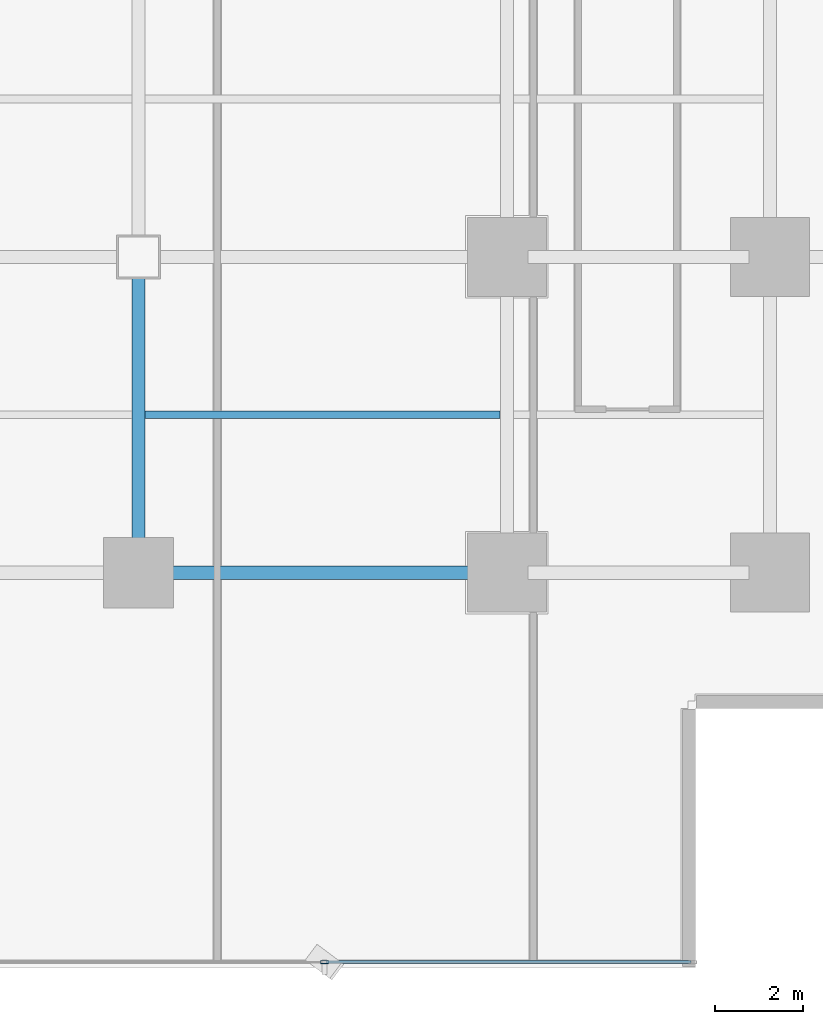
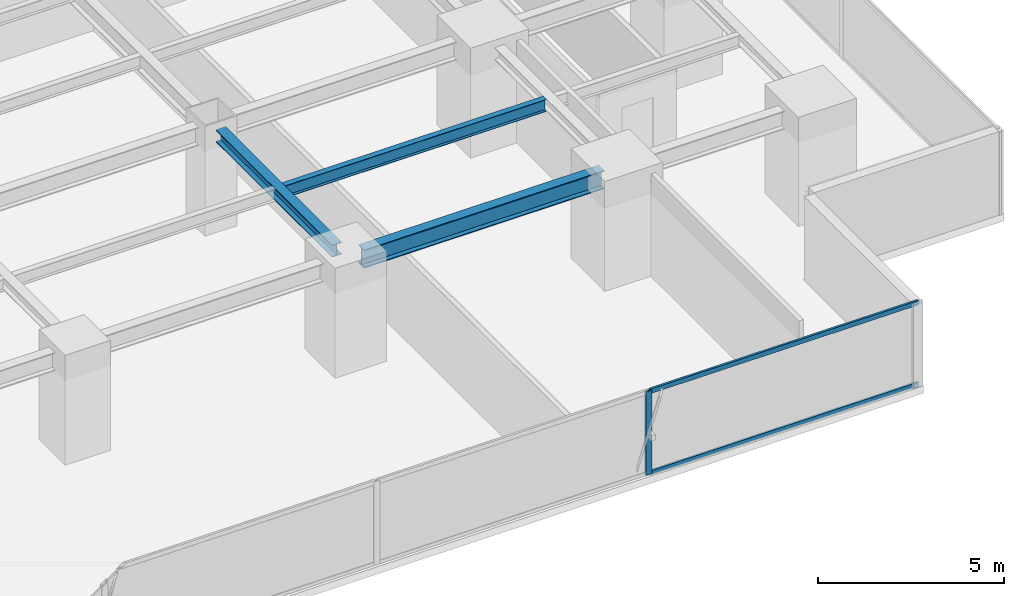
# One storey, part 11 of 32: 3 beams, 3 members, 1 element without a shape of its own.
"""IFC4 building model written with IfcOpenShell, lengths in metres."""

from ifc_helpers import new_model, si_unit, direction, frame, origin, origin_2d, place, context, subcontext, project, spatial, hollow_rectangle, i_section, extrude, source, transform, mapped, material, layer, layer_set, material_profile, profile_set, type_object, element, aggregate, save


model = new_model("IFC4")

# Units and contexts
model_context = context("Model", 3, precision=1e-05, world=origin(), true_north=direction((0.0, 1.0)))
body_context = subcontext(model_context, "Body", "Model", "MODEL_VIEW")
ifc_project = project(units=[si_unit("LENGTHUNIT", "METRE"), si_unit("AREAUNIT", "SQUARE_METRE"), si_unit("VOLUMEUNIT", "CUBIC_METRE"), si_unit("PLANEANGLEUNIT", "RADIAN"), si_unit("MASSUNIT", "GRAM", prefix="KILO")], contexts=[model_context])

# Site, building, storey
site_placement = place(None, origin())
site = spatial("IfcSite", under=ifc_project, at=site_placement, CompositionType="ELEMENT")
building_placement = place(site_placement, origin())
building = spatial("IfcBuilding", under=site, at=building_placement, Name="Sumidabori Civic Tower", CompositionType="ELEMENT")
storey_placement = place(building_placement, frame((0.0, 0.0, 48.800048828125)))
storey = spatial("IfcBuildingStorey", under=building, at=storey_placement, Name="L12", CompositionType="ELEMENT", Elevation=48.800048828125)

# Beams
ifc_material_1 = material(Name="Steel SN490", Category="steel")
ifc_material_profile_1 = material_profile(ifc_material_1, i_section(OverallWidth=0.300048828125, OverallDepth=0.60009765625, WebThickness=0.015380859375, FlangeThickness=0.030029296875, at=origin_2d()), Name="HE 600 B")
ifc_profile_set_1 = profile_set([ifc_material_profile_1], Name="Steel SN490")
beam_type_1 = type_object("IfcBeamType", Name="BM-GIRD-600", PredefinedType="BEAM", material=ifc_profile_set_1)
shared_shape_1 = source(origin(), body_context, "Body", "SweptSolid", [
    extrude(i_section(OverallWidth=0.300048828125, OverallDepth=0.60009765625, WebThickness=0.015380859375, FlangeThickness=0.030029296875, at=origin_2d()), origin(), (0.0, 0.0, 1.0), 7.440185546875),
])
beam_1_placement = place(storey_placement, frame((8.8798828125, -18.0, 3.06005859375), z_axis=(1.0, 0.0, 0.0), x_axis=(0.0, 1.0, 0.0)))
element("IfcBeam", 1, at=beam_1_placement, inside=storey, type_object=beam_type_1, Name="Primary Girder L12 GX-05", PredefinedType="BEAM", context=body_context, shape_type="MappedRepresentation", body=[
    mapped(shared_shape_1, transform((0.0, 0.0, 0.0), x_axis=(1.0, 0.0, 0.0), y_axis=(0.0, 1.0, 0.0), z_axis=(0.0, 0.0, 1.0), scale=1.0)),
])
ifc_material_profile_2 = material_profile(ifc_material_1, i_section(OverallWidth=0.300048828125, OverallDepth=0.39990234375, WebThickness=0.013427734375, FlangeThickness=0.02392578125, at=origin_2d()), Name="HE 400 B")
ifc_profile_set_2 = profile_set([ifc_material_profile_2], Name="Steel SN490")
beam_type_2 = type_object("IfcBeamType", Name="BM-GIRD-400", PredefinedType="BEAM", material=ifc_profile_set_2)
shared_shape_2 = source(origin(), body_context, "Body", "SweptSolid", [
    extrude(i_section(OverallWidth=0.300048828125, OverallDepth=0.39990234375, WebThickness=0.013427734375, FlangeThickness=0.02392578125, at=origin_2d()), origin(), (0.0, 0.0, 1.0), 6.239990234375),
])
beam_2_placement = place(storey_placement, frame((8.39990234375, -17.52001953125, 3.159912109375), z_axis=(0.0, 1.0, 0.0), x_axis=(-1.0, 0.0, 0.0)))
element("IfcBeam", 2, at=beam_2_placement, inside=storey, type_object=beam_type_2, Name="Primary Girder L12 GY-33", PredefinedType="BEAM", context=body_context, shape_type="MappedRepresentation", body=[
    mapped(shared_shape_2, transform((0.0, 0.0, 0.0), x_axis=(1.0, 0.0, 0.0), y_axis=(0.0, 1.0, 0.0), z_axis=(0.0, 0.0, 1.0), scale=1.0)),
])
ifc_material_profile_3 = material_profile(ifc_material_1, i_section(OverallWidth=0.179931640625, OverallDepth=0.39990234375, WebThickness=0.008544921875, FlangeThickness=0.013427734375, at=origin_2d()), Name="IPE 400")
ifc_profile_set_3 = profile_set([ifc_material_profile_3], Name="Steel SN490")
beam_type_3 = type_object("IfcBeamType", Name="BM-JST-400", PredefinedType="JOIST", material=ifc_profile_set_3)
shared_shape_3 = source(origin(), body_context, "Body", "SweptSolid", [
    extrude(i_section(OverallWidth=0.179931640625, OverallDepth=0.39990234375, WebThickness=0.008544921875, FlangeThickness=0.013427734375, at=origin_2d()), origin(), (0.0, 0.0, 1.0), 8.099853515625),
])
beam_3_placement = place(storey_placement, frame((8.550048828125, -14.39990234375, 3.159912109375), z_axis=(1.0, 0.0, 0.0), x_axis=(0.0, 1.0, 0.0)))
element("IfcBeam", 3, at=beam_3_placement, inside=storey, type_object=beam_type_3, Name="South Bay Floor Joist L12 JSTS-64", PredefinedType="JOIST", context=body_context, shape_type="MappedRepresentation", body=[
    mapped(shared_shape_3, transform((0.0, 0.0, 0.0), x_axis=(1.0, 0.0, 0.0), y_axis=(0.0, 1.0, 0.0), z_axis=(0.0, 0.0, 1.0), scale=1.0)),
])

# Curtain wall, members
ifc_material_2 = material(Name="Anodised Bronze Aluminium AW-6063-T6", Category="aluminium")
ifc_layer = layer(ifc_material_2, 0.179931640625, Name="Anodised Bronze Aluminium AW-6063-T6")
ifc_layer_set = layer_set([ifc_layer], Name="Anodised Bronze Aluminium AW-6063-T6")
curtain_wall_type = type_object("IfcCurtainWallType", Name="CW-SYS-2", PredefinedType="NOTDEFINED", material=ifc_layer_set)
curtain_wall_placement = place(storey_placement, origin())
curtain_wall = element("IfcCurtainWall", 4, at=curtain_wall_placement, inside=storey, type_object=curtain_wall_type, Name="Curtain Wall CW:L12:R01", PredefinedType="NOTDEFINED")
ifc_material_profile_4 = material_profile(ifc_material_2, hollow_rectangle(XDim=0.070068359375, YDim=0.179931640625, WallThickness=0.006103515625, at=origin_2d()), Name="ALU MULLION 180x70")
ifc_profile_set_4 = profile_set([ifc_material_profile_4], Name="Anodised Bronze Aluminium AW-6063-T6")
member_type_1 = type_object("IfcMemberType", Name="CW-MUL-180", PredefinedType="MULLION", material=ifc_profile_set_4)
shared_shape_4 = source(origin(), body_context, "Body", "SweptSolid", [
    extrude(hollow_rectangle(XDim=0.070068359375, YDim=0.179931640625, WallThickness=0.006103515625, at=origin_2d()), origin(), (0.0, 0.0, 1.0), 2.739990234375),
])
member_1_placement = place(storey_placement, frame((12.64208984375, -26.8798828125, 0.0), z_axis=(0.0, 0.0, 1.0), x_axis=(0.0, 1.0, 0.0)))
member_1 = element("IfcMember", 5, at=member_1_placement, type_object=member_type_1, Name="CW-2 mullion 5", PredefinedType="MULLION", context=body_context, shape_type="MappedRepresentation", body=[
    mapped(shared_shape_4, transform((0.0, 0.0, 0.0), x_axis=(1.0, 0.0, 0.0), y_axis=(0.0, 1.0, 0.0), z_axis=(0.0, 0.0, 1.0), scale=1.0)),
])
ifc_material_profile_5 = material_profile(ifc_material_2, hollow_rectangle(XDim=0.06494140625, YDim=0.14990234375, WallThickness=0.0048828125, at=origin_2d()), Name="ALU TRANSOM 150x65")
ifc_profile_set_5 = profile_set([ifc_material_profile_5], Name="Anodised Bronze Aluminium AW-6063-T6")
member_type_2 = type_object("IfcMemberType", Name="CW-TRN-150", PredefinedType="USERDEFINED", material=ifc_profile_set_5)
shared_shape_5 = source(origin(), body_context, "Body", "SweptSolid", [
    extrude(hollow_rectangle(XDim=0.06494140625, YDim=0.14990234375, WallThickness=0.0048828125, at=origin_2d()), origin(), (0.0, 0.0, 1.0), 8.322998046875),
])
member_2_placement = place(storey_placement, frame((12.677001953125, -26.8798828125, 0.032470703125), z_axis=(1.0, 0.0, 0.0), x_axis=(0.0, 1.0, 0.0)))
member_2 = element("IfcMember", 6, at=member_2_placement, type_object=member_type_2, Name="CW-2 transom 5.1", ObjectType="TRANSOM", PredefinedType="USERDEFINED", context=body_context, shape_type="MappedRepresentation", body=[
    mapped(shared_shape_5, transform((0.0, 0.0, 0.0), x_axis=(1.0, 0.0, 0.0), y_axis=(0.0, 1.0, 0.0), z_axis=(0.0, 0.0, 1.0), scale=1.0)),
])
member_3_placement = place(storey_placement, frame((12.677001953125, -26.8798828125, 2.70751953125), z_axis=(1.0, 0.0, 0.0), x_axis=(0.0, 1.0, 0.0)))
member_3 = element("IfcMember", 7, at=member_3_placement, type_object=member_type_2, Name="CW-2 transom 5.2", ObjectType="TRANSOM", PredefinedType="USERDEFINED", context=body_context, shape_type="MappedRepresentation", body=[
    mapped(shared_shape_5, transform((0.0, 0.0, 0.0), x_axis=(1.0, 0.0, 0.0), y_axis=(0.0, 1.0, 0.0), z_axis=(0.0, 0.0, 1.0), scale=1.0)),
])
aggregate(curtain_wall, [member_1, member_2, member_3])

save(model, "model.ifc")
